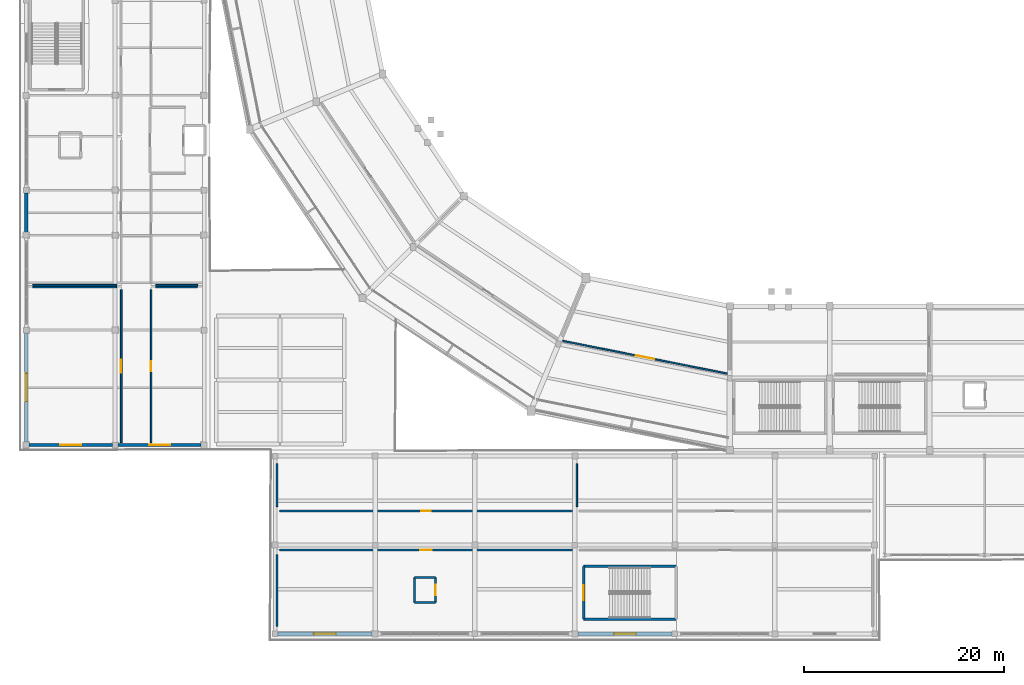
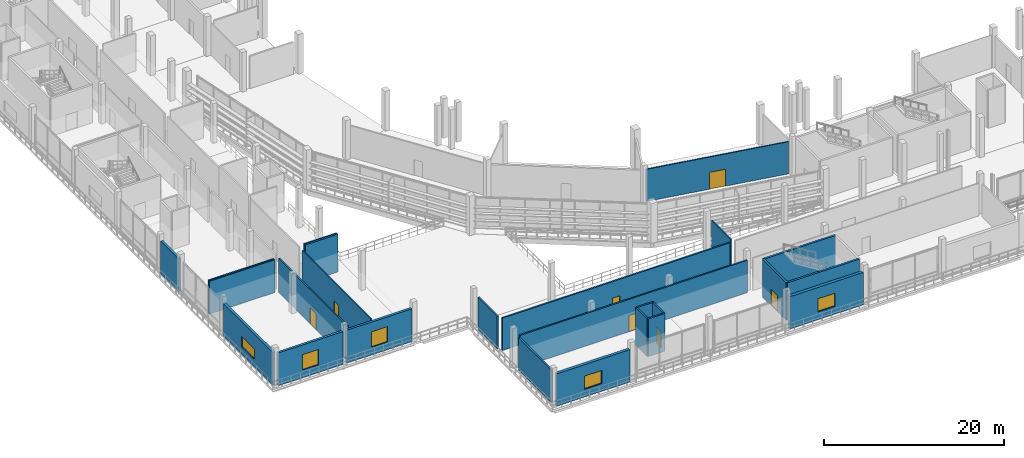
# One storey, part 69 of 111: 25 walls, 7 doors, 5 windows, 12 openings.
"""IFC4 building model written with IfcOpenShell, lengths in metres."""

from ifc_helpers import new_model, si_unit, direction, frame, frame_2d, origin, place, context, subcontext, project, spatial, rectangle, extrude, material, layer, layer_set, type_object, element, fill, save


model = new_model("IFC4")

# Units and contexts
model_context = context("Model", 3, precision=1e-05, world=origin(), true_north=direction((0.0, 1.0)))
body_context = subcontext(model_context, "Body", "Model", "MODEL_VIEW")
ifc_project = project(units=[si_unit("LENGTHUNIT", "METRE"), si_unit("AREAUNIT", "SQUARE_METRE"), si_unit("VOLUMEUNIT", "CUBIC_METRE"), si_unit("PLANEANGLEUNIT", "RADIAN"), si_unit("MASSUNIT", "GRAM", prefix="KILO")], contexts=[model_context])

# Site, building, storey
site_placement = place(None, origin())
site = spatial("IfcSite", under=ifc_project, at=site_placement, CompositionType="ELEMENT")
building_placement = place(site_placement, origin())
building = spatial("IfcBuilding", under=site, at=building_placement, Name="Candeia Ridge Stadium", CompositionType="ELEMENT")
storey_placement = place(building_placement, frame((0.0, 0.0, 16.199951171875)))
storey = spatial("IfcBuildingStorey", under=building, at=storey_placement, Name="L03", CompositionType="ELEMENT", Elevation=16.199951171875)

# Wall, opening, door
ifc_material_1 = material(Name="Gypsum Metal-Stud Partition", Category="gypsum")
ifc_layer_1 = layer(ifc_material_1, 0.14501953125, Name="Gypsum Metal-Stud Partition", Category="gypsum")
ifc_layer_set_1 = layer_set([ifc_layer_1], Name="Gypsum Metal-Stud Partition")
wall_type_1 = type_object("IfcWallType", Name="Athlete Recovery Partition 145", PredefinedType="PARTITIONING", material=ifc_layer_set_1)
wall_1_placement = place(storey_placement, frame((13.10009765625, 19.75, 0.0), z_axis=(0.0, 0.0, 1.0), x_axis=(0.0, 1.0, 0.0)))
wall_1 = element("IfcWall", 1, at=wall_1_placement, inside=storey, type_object=wall_type_1, Name="Interior partition PT-L03-0505", PredefinedType="PARTITIONING", context=body_context, shape_type="SweptSolid", body=[
    extrude(rectangle(XDim=15.300048828125, YDim=0.14501953125, at=frame_2d((7.64990234375, 0.0))), origin(), (0.0, 0.0, 1.0), 4.657958984375),
])
opening_1_placement = place(wall_1_placement, frame((7.139892578125, 0.0, 0.0)))
opening_1 = element("IfcOpeningElement", 2, at=opening_1_placement, cuts=wall_1, Name="Opening ID16", PredefinedType="OPENING", context=body_context, shape_type="SweptSolid", body=[
    extrude(rectangle(XDim=1.02001953125, YDim=2.14990234375, at=frame_2d((0.510009765625, 1.074951171875))), frame((0.0, 0.08251953125, 0.0), z_axis=(0.0, -1.0, 0.0), x_axis=(1.0, 0.0, 0.0)), (0.0, 0.0, 1.0), 0.1650390625),
])
ifc_material_2 = material(Name="Solid Core Cedar Veneer", Category="wood")
door_type_1 = type_object("IfcDoorType", Name="Community Classroom Door 1020x2150", OperationType="NOTDEFINED", PredefinedType="DOOR", material=ifc_material_2)
door_1_placement = place(opening_1_placement, origin())
door_1 = element("IfcDoor", 3, at=door_1_placement, inside=storey, type_object=door_type_1, Name="Interior room door D-L03-0260", OperationType="SINGLE_SWING_LEFT", OverallHeight=2.14990234375, OverallWidth=1.02001953125, PredefinedType="DOOR", context=body_context, shape_type="SweptSolid", body=[
    extrude(rectangle(XDim=1.02001953125, YDim=2.14990234375, at=frame_2d((0.510009765625, 1.074951171875))), frame((0.0, 0.02490234375, 0.0), z_axis=(0.0, -1.0, 0.0), x_axis=(1.0, 0.0, 0.0)), (0.0, 0.0, 1.0), 0.050048828125),
])
fill(opening_1, door_1)

wall_2_placement = place(storey_placement, frame((70.7548828125, 26.648681640625, 0.0), z_axis=(0.0, 0.0, 1.0), x_axis=(-0.980783244425, 0.195100557291, 0.0)))
wall_2 = element("IfcWall", 4, at=wall_2_placement, inside=storey, type_object=wall_type_1, Name="Interior partition PT-L03-0591", PredefinedType="PARTITIONING", context=body_context, shape_type="SweptSolid", body=[
    extrude(rectangle(XDim=16.783203125, YDim=0.14501953125, at=frame_2d((8.3916015625, 0.0))), origin(), (0.0, 0.0, 1.0), 4.375),
])
opening_2_placement = place(wall_2_placement, frame((7.441650390625, 0.0, 0.0)))
opening_2 = element("IfcOpeningElement", 5, at=opening_2_placement, cuts=wall_2, Name="Opening ID10", PredefinedType="OPENING", context=body_context, shape_type="SweptSolid", body=[
    extrude(rectangle(XDim=1.89990234375, YDim=2.300048828125, at=frame_2d((0.949951171875, 1.14990234375))), frame((0.0, 0.08251953125, 0.0), z_axis=(0.0, -1.0, 0.0), x_axis=(1.0, 0.0, 0.0)), (0.0, 0.0, 1.0), 0.1650390625),
])
ifc_material_3 = material(Name="Timber Fire-Rated Acoustic", Category="wood")
door_type_2 = type_object("IfcDoorType", Name="Museum Exhibition Double Door 1900x2300", OperationType="NOTDEFINED", PredefinedType="DOOR", material=ifc_material_3)
door_2_placement = place(opening_2_placement, origin())
door_2 = element("IfcDoor", 6, at=door_2_placement, inside=storey, type_object=door_type_2, Name="Interior room door D-L03-0304", OperationType="DOUBLE_DOOR_SINGLE_SWING", OverallHeight=2.300048828125, OverallWidth=1.89990234375, PredefinedType="DOOR", context=body_context, shape_type="SweptSolid", body=[
    extrude(rectangle(XDim=1.89990234375, YDim=2.300048828125, at=frame_2d((0.949951171875, 1.14990234375))), frame((0.0, 0.02490234375, 0.0), z_axis=(0.0, -1.0, 0.0), x_axis=(1.0, 0.0, 0.0)), (0.0, 0.0, 1.0), 0.050048828125),
])
fill(opening_2, door_2)

# Walls
ifc_material_4 = material(Name="Concrete C40/50", Category="concrete")
ifc_layer_2 = layer(ifc_material_4, 0.25, Name="Concrete C40/50", Category="concrete")
ifc_layer_set_2 = layer_set([ifc_layer_2], Name="Concrete C40/50")
wall_type_2 = type_object("IfcWallType", Name="Core Shear Wall Concrete 250", PredefinedType="SHEAR", material=ifc_layer_set_2)
for number, where, z_axis, x_axis, name in (
    (7, (56.37548828125, 2.075439453125, 0.0), (0.0, 0.0, 1.0), (1.0, 0.0, 0.0), "Core C13 left shear wall L03"),
    (8, (65.62451171875, 7.37451171875, 0.0), (0.0, 0.0, 1.0), (-1.0, 0.0, 0.0), "Core C13 right shear wall L03"),
):
    element("IfcWall", number, at=place(storey_placement, frame(where, z_axis=z_axis, x_axis=x_axis)), inside=storey, type_object=wall_type_2, Name=name, PredefinedType="SHEAR", context=body_context, shape_type="SweptSolid", body=[
        extrude(rectangle(XDim=9.2490234375, YDim=0.25, at=frame_2d((4.62451171875, 0.0))), origin(), (0.0, 0.0, 1.0), 5.14013671875),
    ])

# Wall, opening, door
wall_3_placement = place(storey_placement, frame((56.37548828125, 7.37451171875, 0.0), z_axis=(0.0, 0.0, 1.0), x_axis=(0.0, -1.0, 0.0)))
wall_3 = element("IfcWall", 9, at=wall_3_placement, inside=storey, type_object=wall_type_2, Name="Core C13 near shear wall L03", PredefinedType="SHEAR", context=body_context, shape_type="SweptSolid", body=[
    extrude(rectangle(XDim=5.299072265625, YDim=0.25, at=frame_2d((2.6494140625, 0.0))), origin(), (0.0, 0.0, 1.0), 5.14013671875),
])
opening_3_placement = place(wall_3_placement, frame((1.899658203125, 0.0, 0.0)))
opening_3 = element("IfcOpeningElement", 10, at=opening_3_placement, cuts=wall_3, Name="Opening FD01", PredefinedType="OPENING", context=body_context, shape_type="SweptSolid", body=[
    extrude(rectangle(XDim=1.5, YDim=2.199951171875, at=frame_2d((0.75, 1.10009765625))), frame((0.0, 0.135009765625, 0.0), z_axis=(0.0, -1.0, 0.0), x_axis=(1.0, 0.0, 0.0)), (0.0, 0.0, 1.0), 0.27001953125),
])
ifc_material_5 = material(Name="Galvanized Fire-Rated Steel", Category="steel")
door_type_3 = type_object("IfcDoorType", Name="Exit Stair Core Fire Door 1500x2200", OperationType="NOTDEFINED", PredefinedType="DOOR", material=ifc_material_5)
door_3_placement = place(opening_3_placement, origin())
door_3 = element("IfcDoor", 11, at=door_3_placement, inside=storey, type_object=door_type_3, Name="Exit stair fire door SD-ST13-L03", OperationType="DOUBLE_DOOR_SINGLE_SWING", OverallHeight=2.199951171875, OverallWidth=1.5, PredefinedType="DOOR", context=body_context, shape_type="SweptSolid", body=[
    extrude(rectangle(XDim=1.5, YDim=2.199951171875, at=frame_2d((0.75, 1.10009765625))), frame((0.0, 0.02490234375, 0.0), z_axis=(0.0, -1.0, 0.0), x_axis=(1.0, 0.0, 0.0)), (0.0, 0.0, 1.0), 0.050048828125),
])
fill(opening_3, door_3)

# Wall, opening, window
ifc_material_6 = material(Name="Concrete C35/45", Category="concrete")
ifc_layer_3 = layer(ifc_material_6, 0.320068359375, Name="Concrete C35/45", Category="concrete")
ifc_layer_set_3 = layer_set([ifc_layer_3], Name="Concrete C35/45")
wall_type_3 = type_object("IfcWallType", Name="Exterior Cedar-Clad Insulated Wall 320", PredefinedType="SOLIDWALL", material=ifc_layer_set_3)
wall_4_placement = place(storey_placement, frame((0.60009765625, 19.7880859375, 0.0), z_axis=(0.0, 0.0, 1.0), x_axis=(0.0, 1.0, 0.0)))
wall_4 = element("IfcWall", 12, at=wall_4_placement, inside=storey, type_object=wall_type_3, Name="Exterior facade wall EW-L03-0087", PredefinedType="SOLIDWALL", context=body_context, shape_type="SweptSolid", body=[
    extrude(rectangle(XDim=10.948974609375, YDim=0.320068359375, at=frame_2d((5.474609375, 0.0))), origin(), (0.0, 0.0, 1.0), 4.465087890625),
])
opening_4_placement = place(wall_4_placement, frame((4.074462890625, 0.0, 1.050048828125)))
opening_4 = element("IfcOpeningElement", 13, at=opening_4_placement, cuts=wall_4, Name="Opening W06", PredefinedType="OPENING", context=body_context, shape_type="SweptSolid", body=[
    extrude(rectangle(XDim=2.800048828125, YDim=1.39990234375, at=frame_2d((1.39990234375, 0.699951171875))), frame((0.0, 0.169921875, 0.0), z_axis=(0.0, -1.0, 0.0), x_axis=(1.0, 0.0, 0.0)), (0.0, 0.0, 1.0), 0.340087890625),
])
ifc_material_7 = material(Name="Tempered Solar-Control Double Glazing", Category="glass")
window_type_1 = type_object("IfcWindowType", Name="Museum Clerestory Window 2800x1400", PartitioningType="SINGLE_PANEL", PredefinedType="WINDOW", material=ifc_material_7)
window_1_placement = place(opening_4_placement, origin())
window_1 = element("IfcWindow", 14, at=window_1_placement, inside=storey, type_object=window_type_1, Name="Exterior window WIN-L03-041", OverallHeight=1.39990234375, OverallWidth=2.800048828125, PartitioningType="SINGLE_PANEL", PredefinedType="WINDOW", context=body_context, shape_type="SweptSolid", body=[
    extrude(rectangle(XDim=2.800048828125, YDim=1.39990234375, at=frame_2d((1.39990234375, 0.699951171875))), frame((0.0, 0.030029296875, 0.0), z_axis=(0.0, -1.0, 0.0), x_axis=(1.0, 0.0, 0.0)), (0.0, 0.0, 1.0), 0.06005859375),
])
fill(opening_4, window_1)

# Wall
wall_5_placement = place(storey_placement, frame((0.60009765625, 40.7880859375, 0.0), z_axis=(0.0, 0.0, 1.0), x_axis=(0.0, 1.0, 0.0)))
element("IfcWall", 15, at=wall_5_placement, inside=storey, type_object=wall_type_3, Name="Exterior facade wall EW-L03-0088", PredefinedType="SOLIDWALL", context=body_context, shape_type="SweptSolid", body=[
    extrude(rectangle(XDim=3.948974609375, YDim=0.320068359375, at=frame_2d((1.974609375, 0.0))), origin(), (0.0, 0.0, 1.0), 4.465087890625),
])

# Wall, opening, window
ifc_layer_4 = layer(ifc_material_4, 0.3798828125, Name="Concrete C40/50", Category="concrete")
ifc_layer_set_4 = layer_set([ifc_layer_4], Name="Concrete C40/50")
wall_type_4 = type_object("IfcWallType", Name="Exterior Museum Gallery Wall 380", PredefinedType="SOLIDWALL", material=ifc_layer_set_4)
wall_6_placement = place(storey_placement, frame((25.762939453125, 0.60009765625, 0.0), z_axis=(0.0, 0.0, 1.0), x_axis=(1.0, 0.0, 0.0)))
wall_6 = element("IfcWall", 16, at=wall_6_placement, inside=storey, type_object=wall_type_4, Name="Exterior facade wall EW-L03-0182", PredefinedType="SOLIDWALL", context=body_context, shape_type="SweptSolid", body=[
    extrude(rectangle(XDim=9.448974609375, YDim=0.3798828125, at=frame_2d((4.724609375, 0.0))), origin(), (0.0, 0.0, 1.0), 4.405029296875),
])
opening_5_placement = place(wall_6_placement, frame((3.62451171875, 0.0, 1.050048828125)))
opening_5 = element("IfcOpeningElement", 17, at=opening_5_placement, cuts=wall_6, Name="Opening W07", PredefinedType="OPENING", context=body_context, shape_type="SweptSolid", body=[
    extrude(rectangle(XDim=2.199951171875, YDim=1.800048828125, at=frame_2d((1.10009765625, 0.89990234375))), frame((0.0, 0.199951171875, 0.0), z_axis=(0.0, -1.0, 0.0), x_axis=(1.0, 0.0, 0.0)), (0.0, 0.0, 1.0), 0.39990234375),
])
window_type_2 = type_object("IfcWindowType", Name="Museum Gallery Window 2200x1800", PartitioningType="SINGLE_PANEL", PredefinedType="WINDOW", material=ifc_material_7)
window_2_placement = place(opening_5_placement, origin())
window_2 = element("IfcWindow", 18, at=window_2_placement, inside=storey, type_object=window_type_2, Name="Exterior window WIN-L03-103", OverallHeight=1.800048828125, OverallWidth=2.199951171875, PartitioningType="SINGLE_PANEL", PredefinedType="WINDOW", context=body_context, shape_type="SweptSolid", body=[
    extrude(rectangle(XDim=2.199951171875, YDim=1.800048828125, at=frame_2d((1.10009765625, 0.89990234375))), frame((0.0, 0.030029296875, 0.0), z_axis=(0.0, -1.0, 0.0), x_axis=(1.0, 0.0, 0.0)), (0.0, 0.0, 1.0), 0.06005859375),
])
fill(opening_5, window_2)

wall_7_placement = place(storey_placement, frame((55.7880859375, 0.60009765625, 0.0), z_axis=(0.0, 0.0, 1.0), x_axis=(1.0, 0.0, 0.0)))
wall_7 = element("IfcWall", 19, at=wall_7_placement, inside=storey, type_object=wall_type_4, Name="Exterior facade wall EW-L03-0183", PredefinedType="SOLIDWALL", context=body_context, shape_type="SweptSolid", body=[
    extrude(rectangle(XDim=9.448974609375, YDim=0.3798828125, at=frame_2d((4.724609375, 0.0))), origin(), (0.0, 0.0, 1.0), 4.405029296875),
])
opening_6_placement = place(wall_7_placement, frame((3.62451171875, 0.0, 1.050048828125)))
opening_6 = element("IfcOpeningElement", 20, at=opening_6_placement, cuts=wall_7, Name="Opening W07", PredefinedType="OPENING", context=body_context, shape_type="SweptSolid", body=[
    extrude(rectangle(XDim=2.199951171875, YDim=1.800048828125, at=frame_2d((1.10009765625, 0.89990234375))), frame((0.0, 0.199951171875, 0.0), z_axis=(0.0, -1.0, 0.0), x_axis=(1.0, 0.0, 0.0)), (0.0, 0.0, 1.0), 0.39990234375),
])
window_3_placement = place(opening_6_placement, origin())
window_3 = element("IfcWindow", 21, at=window_3_placement, inside=storey, type_object=window_type_2, Name="Exterior window WIN-L03-104", OverallHeight=1.800048828125, OverallWidth=2.199951171875, PartitioningType="SINGLE_PANEL", PredefinedType="WINDOW", context=body_context, shape_type="SweptSolid", body=[
    extrude(rectangle(XDim=2.199951171875, YDim=1.800048828125, at=frame_2d((1.10009765625, 0.89990234375))), frame((0.0, 0.030029296875, 0.0), z_axis=(0.0, -1.0, 0.0), x_axis=(1.0, 0.0, 0.0)), (0.0, 0.0, 1.0), 0.06005859375),
])
fill(opening_6, window_3)

ifc_layer_5 = layer(ifc_material_6, 0.300048828125, Name="Concrete C35/45", Category="concrete")
ifc_layer_set_5 = layer_set([ifc_layer_5], Name="Concrete C35/45")
wall_type_5 = type_object("IfcWallType", Name="Exterior Pavilion Rainscreen Wall 300", PredefinedType="SOLIDWALL", material=ifc_layer_set_5)
wall_8_placement = place(storey_placement, frame((0.887939453125, 19.5, 0.0), z_axis=(0.0, 0.0, 1.0), x_axis=(1.0, 0.0, 0.0)))
wall_8 = element("IfcWall", 22, at=wall_8_placement, inside=storey, type_object=wall_type_5, Name="Exterior facade wall EW-L03-0095", PredefinedType="SOLIDWALL", context=body_context, shape_type="SweptSolid", body=[
    extrude(rectangle(XDim=8.34912109375, YDim=0.300048828125, at=frame_2d((4.174560546875, 0.0))), origin(), (0.0, 0.0, 1.0), 4.465087890625),
])
opening_7_placement = place(wall_8_placement, frame((3.12451171875, 0.0, 1.050048828125)))
opening_7 = element("IfcOpeningElement", 23, at=opening_7_placement, cuts=wall_8, Name="Opening W04", PredefinedType="OPENING", context=body_context, shape_type="SweptSolid", body=[
    extrude(rectangle(XDim=2.10009765625, YDim=2.10009765625, at=frame_2d((1.050048828125, 1.050048828125))), frame((0.0, 0.159912109375, 0.0), z_axis=(0.0, -1.0, 0.0), x_axis=(1.0, 0.0, 0.0)), (0.0, 0.0, 1.0), 0.320068359375),
])
window_type_3 = type_object("IfcWindowType", Name="Hospitality Ribbon Window 2100x2100", PartitioningType="SINGLE_PANEL", PredefinedType="WINDOW", material=ifc_material_7)
window_4_placement = place(opening_7_placement, origin())
window_4 = element("IfcWindow", 24, at=window_4_placement, inside=storey, type_object=window_type_3, Name="Exterior window WIN-L03-048", OverallHeight=2.10009765625, OverallWidth=2.10009765625, PartitioningType="SINGLE_PANEL", PredefinedType="WINDOW", context=body_context, shape_type="SweptSolid", body=[
    extrude(rectangle(XDim=2.10009765625, YDim=2.10009765625, at=frame_2d((1.050048828125, 1.050048828125))), frame((0.0, 0.030029296875, 0.0), z_axis=(0.0, -1.0, 0.0), x_axis=(1.0, 0.0, 0.0)), (0.0, 0.0, 1.0), 0.06005859375),
])
fill(opening_7, window_4)

wall_9_placement = place(storey_placement, frame((9.762939453125, 19.5, 0.0), z_axis=(0.0, 0.0, 1.0), x_axis=(1.0, 0.0, 0.0)))
wall_9 = element("IfcWall", 25, at=wall_9_placement, inside=storey, type_object=wall_type_5, Name="Exterior facade wall EW-L03-0096", PredefinedType="SOLIDWALL", context=body_context, shape_type="SweptSolid", body=[
    extrude(rectangle(XDim=8.34912109375, YDim=0.300048828125, at=frame_2d((4.174560546875, 0.0))), origin(), (0.0, 0.0, 1.0), 4.465087890625),
])
opening_8_placement = place(wall_9_placement, frame((3.12451171875, 0.0, 1.050048828125)))
opening_8 = element("IfcOpeningElement", 26, at=opening_8_placement, cuts=wall_9, Name="Opening W04", PredefinedType="OPENING", context=body_context, shape_type="SweptSolid", body=[
    extrude(rectangle(XDim=2.10009765625, YDim=2.10009765625, at=frame_2d((1.050048828125, 1.050048828125))), frame((0.0, 0.159912109375, 0.0), z_axis=(0.0, -1.0, 0.0), x_axis=(1.0, 0.0, 0.0)), (0.0, 0.0, 1.0), 0.320068359375),
])
window_5_placement = place(opening_8_placement, origin())
window_5 = element("IfcWindow", 27, at=window_5_placement, inside=storey, type_object=window_type_3, Name="Exterior window WIN-L03-049", OverallHeight=2.10009765625, OverallWidth=2.10009765625, PartitioningType="SINGLE_PANEL", PredefinedType="WINDOW", context=body_context, shape_type="SweptSolid", body=[
    extrude(rectangle(XDim=2.10009765625, YDim=2.10009765625, at=frame_2d((1.050048828125, 1.050048828125))), frame((0.0, 0.030029296875, 0.0), z_axis=(0.0, -1.0, 0.0), x_axis=(1.0, 0.0, 0.0)), (0.0, 0.0, 1.0), 0.06005859375),
])
fill(opening_8, window_5)

# Walls
ifc_layer_6 = layer(ifc_material_1, 0.135009765625, Name="Gypsum Metal-Stud Partition", Category="gypsum")
ifc_layer_set_6 = layer_set([ifc_layer_6], Name="Gypsum Metal-Stud Partition")
wall_type_6 = type_object("IfcWallType", Name="General Room Partition 135", PredefinedType="PARTITIONING", material=ifc_layer_set_6)
wall_10_placement = place(storey_placement, frame((1.25, 35.300048828125, 0.0), z_axis=(0.0, 0.0, 1.0), x_axis=(1.0, 0.0, 0.0)))
element("IfcWall", 28, at=wall_10_placement, inside=storey, type_object=wall_type_6, Name="Demising partition PT-L03-0504", PredefinedType="PARTITIONING", context=body_context, shape_type="SweptSolid", body=[
    extrude(rectangle(XDim=8.39990234375, YDim=0.135009765625, at=frame_2d((4.199951171875, 0.0))), origin(), (0.0, 0.0, 1.0), 4.465087890625),
])
ifc_layer_7 = layer(ifc_material_4, 0.219970703125, Name="Concrete C40/50", Category="concrete")
ifc_layer_set_7 = layer_set([ifc_layer_7], Name="Concrete C40/50")
wall_type_7 = type_object("IfcWallType", Name="Lift & Riser Shaft Wall 220", PredefinedType="SHEAR", material=ifc_layer_set_7)
wall_11_placement = place(storey_placement, frame((39.43994140625, 3.739990234375, 0.0), z_axis=(0.0, 0.0, 1.0), x_axis=(1.0, 0.0, 0.0)))
element("IfcWall", 29, at=wall_11_placement, inside=storey, type_object=wall_type_7, Name="Lift PL5 shaft wall L03 south", PredefinedType="SHEAR", context=body_context, shape_type="SweptSolid", body=[
    extrude(rectangle(XDim=2.1201171875, YDim=0.219970703125, at=frame_2d((1.06005859375, 0.0))), origin(), (0.0, 0.0, 1.0), 5.14013671875),
])

# Wall, opening, door
wall_12_placement = place(storey_placement, frame((41.56005859375, 3.739990234375, 0.0), z_axis=(0.0, 0.0, 1.0), x_axis=(0.0, 1.0, 0.0)))
wall_12 = element("IfcWall", 30, at=wall_12_placement, inside=storey, type_object=wall_type_7, Name="Lift PL5 shaft wall L03 east", PredefinedType="SHEAR", context=body_context, shape_type="SweptSolid", body=[
    extrude(rectangle(XDim=2.52001953125, YDim=0.219970703125, at=frame_2d((1.260009765625, 0.0))), origin(), (0.0, 0.0, 1.0), 5.14013671875),
])
opening_9_placement = place(wall_12_placement, frame((0.735107421875, 0.0, 0.0)))
opening_9 = element("IfcOpeningElement", 31, at=opening_9_placement, cuts=wall_12, Name="Opening LD02", PredefinedType="OPENING", context=body_context, shape_type="SweptSolid", body=[
    extrude(rectangle(XDim=1.050048828125, YDim=2.14990234375, at=frame_2d((0.52490234375, 1.074951171875))), frame((0.0, 0.119873046875, 0.0), z_axis=(0.0, -1.0, 0.0), x_axis=(1.0, 0.0, 0.0)), (0.0, 0.0, 1.0), 0.239990234375),
])
ifc_material_8 = material(Name="Brushed Stainless Steel", Category="steel")
door_type_4 = type_object("IfcDoorType", Name="Passenger Lift Landing Door 1050x2150", OperationType="NOTDEFINED", PredefinedType="DOOR", material=ifc_material_8)
door_4_placement = place(opening_9_placement, origin())
door_4 = element("IfcDoor", 32, at=door_4_placement, inside=storey, type_object=door_type_4, Name="Lift landing sliding door LD-PL5-L03", OperationType="DOUBLE_DOOR_SLIDING", OverallHeight=2.14990234375, OverallWidth=1.050048828125, PredefinedType="DOOR", context=body_context, shape_type="SweptSolid", body=[
    extrude(rectangle(XDim=1.050048828125, YDim=2.14990234375, at=frame_2d((0.52490234375, 1.074951171875))), frame((0.0, 0.02490234375, 0.0), z_axis=(0.0, -1.0, 0.0), x_axis=(1.0, 0.0, 0.0)), (0.0, 0.0, 1.0), 0.050048828125),
])
fill(opening_9, door_4)

# Walls
wall_13_placement = place(storey_placement, frame((41.56005859375, 6.260009765625, 0.0), z_axis=(0.0, 0.0, 1.0), x_axis=(-1.0, 0.0, 0.0)))
element("IfcWall", 33, at=wall_13_placement, inside=storey, type_object=wall_type_7, Name="Lift PL5 shaft wall L03 north", PredefinedType="SHEAR", context=body_context, shape_type="SweptSolid", body=[
    extrude(rectangle(XDim=2.1201171875, YDim=0.219970703125, at=frame_2d((1.06005859375, 0.0))), origin(), (0.0, 0.0, 1.0), 5.14013671875),
])
wall_14_placement = place(storey_placement, frame((39.43994140625, 6.260009765625, 0.0), z_axis=(0.0, 0.0, 1.0), x_axis=(0.0, -1.0, 0.0)))
element("IfcWall", 34, at=wall_14_placement, inside=storey, type_object=wall_type_7, Name="Lift PL5 shaft wall L03 west", PredefinedType="SHEAR", context=body_context, shape_type="SweptSolid", body=[
    extrude(rectangle(XDim=2.52001953125, YDim=0.219970703125, at=frame_2d((1.260009765625, 0.0))), origin(), (0.0, 0.0, 1.0), 5.14013671875),
])

# Wall, opening, door
ifc_material_9 = material(Name="Gypsum Acoustic Triple-Board Wall", Category="gypsum")
ifc_layer_8 = layer(ifc_material_9, 0.18994140625, Name="Gypsum Acoustic Triple-Board Wall", Category="gypsum")
ifc_layer_set_8 = layer_set([ifc_layer_8], Name="Gypsum Acoustic Triple-Board Wall")
wall_type_8 = type_object("IfcWallType", Name="Media & Commentary Studio Wall 190", PredefinedType="PARTITIONING", material=ifc_layer_set_8)
wall_15_placement = place(storey_placement, frame((55.25, 12.89990234375, 0.0), z_axis=(0.0, 0.0, 1.0), x_axis=(-1.0, 0.0, 0.0)))
wall_15 = element("IfcWall", 35, at=wall_15_placement, inside=storey, type_object=wall_type_8, Name="Interior partition PT-L03-0535", PredefinedType="PARTITIONING", context=body_context, shape_type="SweptSolid", body=[
    extrude(rectangle(XDim=29.300048828125, YDim=0.18994140625, at=frame_2d((14.64990234375, 0.0))), origin(), (0.0, 0.0, 1.0), 4.405029296875),
])
opening_10_placement = place(wall_15_placement, frame((14.175048828125, 0.0, 0.0)))
opening_10 = element("IfcOpeningElement", 36, at=opening_10_placement, cuts=wall_15, Name="Opening ID05", PredefinedType="OPENING", context=body_context, shape_type="SweptSolid", body=[
    extrude(rectangle(XDim=0.949951171875, YDim=2.14990234375, at=frame_2d((0.47509765625, 1.074951171875))), frame((0.0, 0.10498046875, 0.0), z_axis=(0.0, -1.0, 0.0), x_axis=(1.0, 0.0, 0.0)), (0.0, 0.0, 1.0), 0.2099609375),
])
door_type_5 = type_object("IfcDoorType", Name="General Room Single Door 950x2150", OperationType="NOTDEFINED", PredefinedType="DOOR", material=ifc_material_2)
door_5_placement = place(opening_10_placement, origin())
door_5 = element("IfcDoor", 37, at=door_5_placement, inside=storey, type_object=door_type_5, Name="Interior room door D-L03-0276", OperationType="SINGLE_SWING_LEFT", OverallHeight=2.14990234375, OverallWidth=0.949951171875, PredefinedType="DOOR", context=body_context, shape_type="SweptSolid", body=[
    extrude(rectangle(XDim=0.949951171875, YDim=2.14990234375, at=frame_2d((0.47509765625, 1.074951171875))), frame((0.0, 0.02490234375, 0.0), z_axis=(0.0, -1.0, 0.0), x_axis=(1.0, 0.0, 0.0)), (0.0, 0.0, 1.0), 0.050048828125),
])
fill(opening_10, door_5)

ifc_layer_9 = layer(ifc_material_9, 0.18505859375, Name="Gypsum Acoustic Triple-Board Wall", Category="gypsum")
ifc_layer_set_9 = layer_set([ifc_layer_9], Name="Gypsum Acoustic Triple-Board Wall")
wall_type_9 = type_object("IfcWallType", Name="Media Booth Studio Divider 185", PredefinedType="PARTITIONING", material=ifc_layer_set_9)
wall_16_placement = place(storey_placement, frame((25.949951171875, 9.0, 0.0), z_axis=(0.0, 0.0, 1.0), x_axis=(1.0, 0.0, 0.0)))
wall_16 = element("IfcWall", 38, at=wall_16_placement, inside=storey, type_object=wall_type_9, Name="Interior partition PT-L03-0533", PredefinedType="PARTITIONING", context=body_context, shape_type="SweptSolid", body=[
    extrude(rectangle(XDim=29.300048828125, YDim=0.18505859375, at=frame_2d((14.64990234375, 0.0))), origin(), (0.0, 0.0, 1.0), 4.405029296875),
])
opening_11_placement = place(wall_16_placement, frame((14.074951171875, 0.0, 0.0)))
opening_11 = element("IfcOpeningElement", 39, at=opening_11_placement, cuts=wall_16, Name="Opening ID02", PredefinedType="OPENING", context=body_context, shape_type="SweptSolid", body=[
    extrude(rectangle(XDim=1.14990234375, YDim=2.199951171875, at=frame_2d((0.574951171875, 1.10009765625))), frame((0.0, 0.1025390625, 0.0), z_axis=(0.0, -1.0, 0.0), x_axis=(1.0, 0.0, 0.0)), (0.0, 0.0, 1.0), 0.205078125),
])
ifc_material_10 = material(Name="Acoustic Timber Studio Leaf", Category="wood")
door_type_6 = type_object("IfcDoorType", Name="Broadcast & Press Studio Door 1150x2200", OperationType="NOTDEFINED", PredefinedType="DOOR", material=ifc_material_10)
door_6_placement = place(opening_11_placement, frame((1.14990234375, 0.0, 0.0), z_axis=(0.0, 0.0, 1.0), x_axis=(-1.0, 0.0, 0.0)))
door_6 = element("IfcDoor", 40, at=door_6_placement, inside=storey, type_object=door_type_6, Name="Interior room door D-L03-0275", OperationType="SINGLE_SWING_RIGHT", OverallHeight=2.199951171875, OverallWidth=1.14990234375, PredefinedType="DOOR", context=body_context, shape_type="SweptSolid", body=[
    extrude(rectangle(XDim=1.14990234375, YDim=2.199951171875, at=frame_2d((0.574951171875, 1.10009765625))), frame((0.0, 0.02490234375, 0.0), z_axis=(0.0, -1.0, 0.0), x_axis=(1.0, 0.0, 0.0)), (0.0, 0.0, 1.0), 0.050048828125),
])
fill(opening_11, door_6)

ifc_material_11 = material(Name="Gypsum Acoustic Twin-Stud Assembly", Category="gypsum")
ifc_layer_10 = layer(ifc_material_11, 0.175048828125, Name="Gypsum Acoustic Twin-Stud Assembly", Category="gypsum")
ifc_layer_set_10 = layer_set([ifc_layer_10], Name="Gypsum Acoustic Twin-Stud Assembly")
wall_type_10 = type_object("IfcWallType", Name="Museum Acoustic Gallery Wall 175", PredefinedType="PARTITIONING", material=ifc_layer_set_10)
wall_17_placement = place(storey_placement, frame((10.10009765625, 35.050048828125, 0.0), z_axis=(0.0, 0.0, 1.0), x_axis=(0.0, -1.0, 0.0)))
wall_17 = element("IfcWall", 41, at=wall_17_placement, inside=storey, type_object=wall_type_10, Name="Interior partition PT-L03-0503", PredefinedType="PARTITIONING", context=body_context, shape_type="SweptSolid", body=[
    extrude(rectangle(XDim=15.300048828125, YDim=0.175048828125, at=frame_2d((7.64990234375, 0.0))), origin(), (0.0, 0.0, 1.0), 4.657958984375),
])
opening_12_placement = place(wall_17_placement, frame((7.0, 0.0, 0.0)))
opening_12 = element("IfcOpeningElement", 42, at=opening_12_placement, cuts=wall_17, Name="Opening ID13", PredefinedType="OPENING", context=body_context, shape_type="SweptSolid", body=[
    extrude(rectangle(XDim=1.300048828125, YDim=2.199951171875, at=frame_2d((0.64990234375, 1.10009765625))), frame((0.0, 0.097412109375, 0.0), z_axis=(0.0, -1.0, 0.0), x_axis=(1.0, 0.0, 0.0)), (0.0, 0.0, 1.0), 0.195068359375),
])
ifc_material_12 = material(Name="Moisture-Resistant Laminate", Category="wood")
door_type_7 = type_object("IfcDoorType", Name="Medical Clinic Wide Door 1300x2200", OperationType="NOTDEFINED", PredefinedType="DOOR", material=ifc_material_12)
door_7_placement = place(opening_12_placement, frame((1.300048828125, 0.0, 0.0), z_axis=(0.0, 0.0, 1.0), x_axis=(-1.0, 0.0, 0.0)))
door_7 = element("IfcDoor", 43, at=door_7_placement, inside=storey, type_object=door_type_7, Name="Interior room door D-L03-0259", OperationType="SINGLE_SWING_RIGHT", OverallHeight=2.199951171875, OverallWidth=1.300048828125, PredefinedType="DOOR", context=body_context, shape_type="SweptSolid", body=[
    extrude(rectangle(XDim=1.300048828125, YDim=2.199951171875, at=frame_2d((0.64990234375, 1.10009765625))), frame((0.0, 0.02490234375, 0.0), z_axis=(0.0, -1.0, 0.0), x_axis=(1.0, 0.0, 0.0)), (0.0, 0.0, 1.0), 0.050048828125),
])
fill(opening_12, door_7)

# Walls
wall_18_placement = place(storey_placement, frame((9.64990234375, 35.5, 0.0), z_axis=(0.0, 0.0, 1.0), x_axis=(-1.0, 0.0, 0.0)))
element("IfcWall", 44, at=wall_18_placement, inside=storey, type_object=wall_type_10, Name="Demising partition PT-L03-0508", PredefinedType="PARTITIONING", context=body_context, shape_type="SweptSolid", body=[
    extrude(rectangle(XDim=8.39990234375, YDim=0.175048828125, at=frame_2d((4.199951171875, 0.0))), origin(), (0.0, 0.0, 1.0), 4.465087890625),
])
wall_19_placement = place(storey_placement, frame((25.699951171875, 13.35009765625, 0.0), z_axis=(0.0, 0.0, 1.0), x_axis=(0.0, 1.0, 0.0)))
element("IfcWall", 45, at=wall_19_placement, inside=storey, type_object=wall_type_10, Name="Demising partition PT-L03-0536", PredefinedType="PARTITIONING", context=body_context, shape_type="SweptSolid", body=[
    extrude(rectangle(XDim=4.2998046875, YDim=0.175048828125, at=frame_2d((2.14990234375, 0.0))), origin(), (0.0, 0.0, 1.0), 4.455078125),
])
ifc_material_13 = material(Name="Moisture-Resistant Masonry & Tile", Category="masonry")
ifc_layer_11 = layer(ifc_material_13, 0.2099609375, Name="Moisture-Resistant Masonry & Tile", Category="masonry")
ifc_layer_set_11 = layer_set([ifc_layer_11], Name="Moisture-Resistant Masonry & Tile")
wall_type_11 = type_object("IfcWallType", Name="Sanitary Wet-Wall Plumbing Chase 210", PredefinedType="PLUMBINGWALL", material=ifc_layer_set_11)
wall_20_placement = place(storey_placement, frame((13.550048828125, 35.300048828125, 0.0), z_axis=(0.0, 0.0, 1.0), x_axis=(1.0, 0.0, 0.0)))
element("IfcWall", 46, at=wall_20_placement, inside=storey, type_object=wall_type_11, Name="Demising partition PT-L03-0506", PredefinedType="PLUMBINGWALL", context=body_context, shape_type="SweptSolid", body=[
    extrude(rectangle(XDim=4.199951171875, YDim=0.2099609375, at=frame_2d((2.10009765625, 0.0))), origin(), (0.0, 0.0, 1.0), 5.1201171875),
])
wall_21_placement = place(storey_placement, frame((25.699951171875, 1.35009765625, 0.0), z_axis=(0.0, 0.0, 1.0), x_axis=(0.0, 1.0, 0.0)))
element("IfcWall", 47, at=wall_21_placement, inside=storey, type_object=wall_type_11, Name="Demising partition PT-L03-0534", PredefinedType="PLUMBINGWALL", context=body_context, shape_type="SweptSolid", body=[
    extrude(rectangle(XDim=7.199951171875, YDim=0.2099609375, at=frame_2d((3.60009765625, 0.0))), origin(), (0.0, 0.0, 1.0), 4.455078125),
])
ifc_layer_12 = layer(ifc_material_11, 0.169921875, Name="Gypsum Acoustic Twin-Stud Assembly", Category="gypsum")
ifc_layer_set_12 = layer_set([ifc_layer_12], Name="Gypsum Acoustic Twin-Stud Assembly")
wall_type_12 = type_object("IfcWallType", Name="Skybox Demising Acoustic Wall 170", PredefinedType="PARTITIONING", material=ifc_layer_set_12)
wall_22_placement = place(storey_placement, frame((17.75, 35.5, 0.0), z_axis=(0.0, 0.0, 1.0), x_axis=(-1.0, 0.0, 0.0)))
element("IfcWall", 48, at=wall_22_placement, inside=storey, type_object=wall_type_12, Name="Demising partition PT-L03-0510", PredefinedType="PARTITIONING", context=body_context, shape_type="SweptSolid", body=[
    extrude(rectangle(XDim=4.199951171875, YDim=0.169921875, at=frame_2d((2.10009765625, 0.0))), origin(), (0.0, 0.0, 1.0), 5.1201171875),
])
ifc_layer_13 = layer(ifc_material_1, 0.1298828125, Name="Gypsum Metal-Stud Partition", Category="gypsum")
ifc_layer_set_13 = layer_set([ifc_layer_13], Name="Gypsum Metal-Stud Partition")
wall_type_13 = type_object("IfcWallType", Name="Ticketing Back-Office Partition 130", PredefinedType="PARTITIONING", material=ifc_layer_set_13)
wall_23_placement = place(storey_placement, frame((55.699951171875, 13.35009765625, 0.0), z_axis=(0.0, 0.0, 1.0), x_axis=(0.0, 1.0, 0.0)))
element("IfcWall", 49, at=wall_23_placement, inside=storey, type_object=wall_type_13, Name="Demising partition PT-L03-0540", PredefinedType="PARTITIONING", context=body_context, shape_type="SweptSolid", body=[
    extrude(rectangle(XDim=4.2998046875, YDim=0.1298828125, at=frame_2d((2.14990234375, 0.0))), origin(), (0.0, 0.0, 1.0), 4.405029296875),
])

save(model, "model.ifc")
